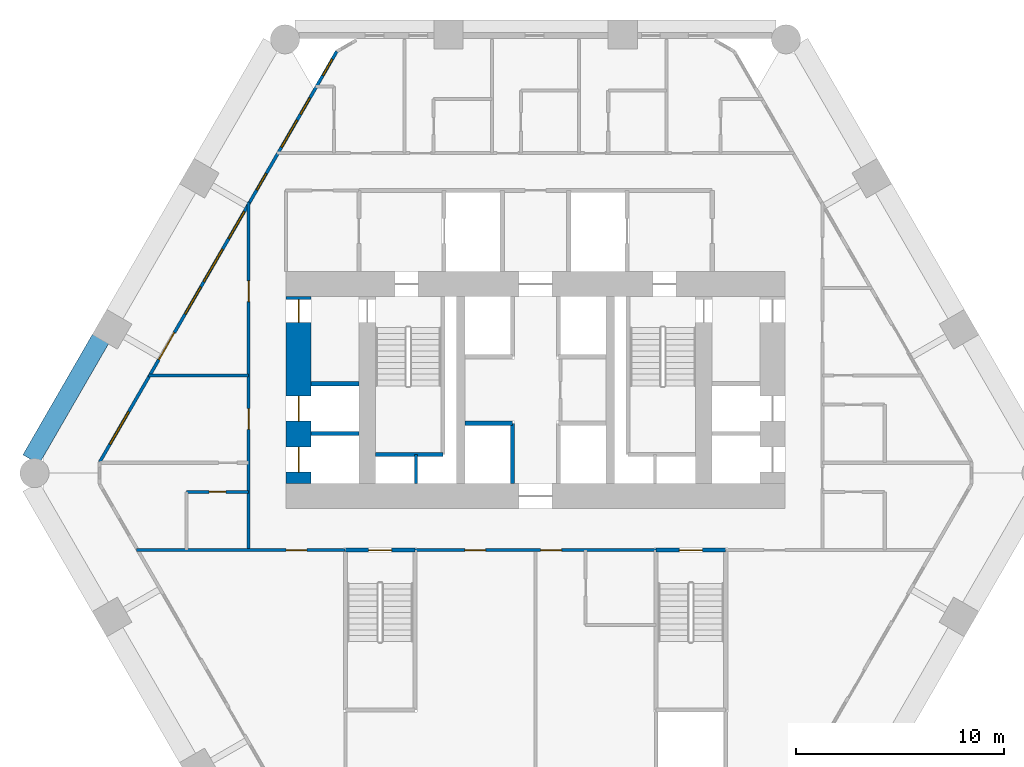
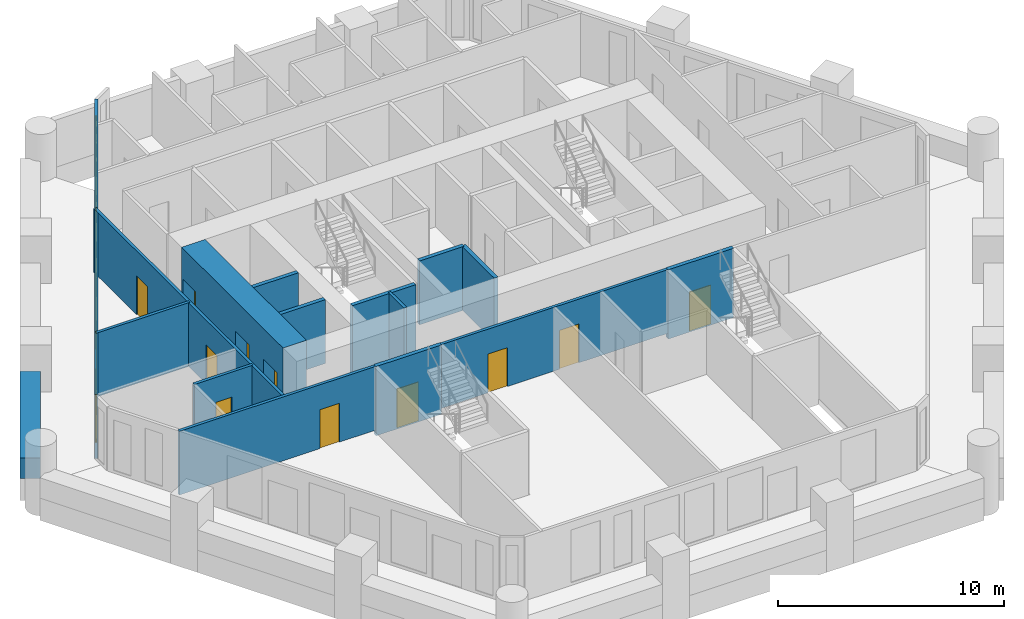
# One storey, part 3 of 8: 16 walls, 12 doors, 8 windows, 20 openings.
"""IFC4 building model written with IfcOpenShell, lengths in metres."""

from ifc_helpers import new_model, si_unit, direction, frame, frame_2d, origin, place, context, subcontext, project, spatial, rectangle, extrude, material, layer, layer_set, type_object, element, fill, save


model = new_model("IFC4")

# Units and contexts
model_context = context("Model", 3, precision=1e-05, world=origin(), true_north=direction((0.0, 1.0)))
body_context = subcontext(model_context, "Body", "Model", "MODEL_VIEW")
ifc_project = project(units=[si_unit("LENGTHUNIT", "METRE"), si_unit("AREAUNIT", "SQUARE_METRE"), si_unit("VOLUMEUNIT", "CUBIC_METRE"), si_unit("PLANEANGLEUNIT", "RADIAN"), si_unit("MASSUNIT", "GRAM", prefix="KILO")], contexts=[model_context])

# Site, building, storey
site_placement = place(None, origin())
site = spatial("IfcSite", under=ifc_project, at=site_placement, CompositionType="ELEMENT")
building_placement = place(site_placement, origin())
building = spatial("IfcBuilding", under=site, at=building_placement, Name="Ostrander Bayou Hotel Tower", CompositionType="ELEMENT")
storey_placement = place(building_placement, frame((0.0, 0.0, 31.75)))
storey = spatial("IfcBuildingStorey", under=building, at=storey_placement, Name="L07", CompositionType="ELEMENT", Elevation=31.75)

# Wall, openings, doors
ifc_material_1 = material(Name="Concrete f'c 70 MPa", Category="concrete")
ifc_layer_1 = layer(ifc_material_1, 1.199951171875)
ifc_layer_set_1 = layer_set([ifc_layer_1], Name="CW1 core wall 1200 mm f'c 70 MPa")
wall_type_1 = type_object("IfcWallType", Name="CW1 core wall 1200 mm f'c 70 MPa", PredefinedType="SHEAR", material=ifc_layer_set_1)
wall_1_placement = place(storey_placement, frame((-11.39990234375, -0.5, -0.300048828125), z_axis=(0.0, 0.0, 1.0), x_axis=(0.0, 1.0, 0.0)))
wall_1 = element("IfcWall", 1, at=wall_1_placement, inside=storey, type_object=wall_type_1, Name="CW1 L07 RW", PredefinedType="SHEAR", context=body_context, shape_type="SweptSolid", body=[
    extrude(rectangle(XDim=9.0, YDim=1.199951171875, at=frame_2d((4.5, 0.0))), origin(), (0.0, 0.0, 1.0), 3.75),
])
opening_1_placement = place(wall_1_placement, frame((7.75, 0.0, 0.0)))
opening_1 = element("IfcOpeningElement", 2, at=opening_1_placement, cuts=wall_1, Name="Opening T06-015", PredefinedType="OPENING", context=body_context, shape_type="SweptSolid", body=[
    extrude(rectangle(XDim=1.10009765625, YDim=2.10009765625, at=frame_2d((0.550048828125, 1.050048828125))), frame((0.0, 0.60009765625, 0.0), z_axis=(0.0, -1.0, 0.0), x_axis=(1.0, 0.0, 0.0)), (0.0, 0.0, 1.0), 1.199951171875),
])
opening_2_placement = place(wall_1_placement, frame((0.550048828125, 0.0, 0.0)))
opening_2 = element("IfcOpeningElement", 3, at=opening_2_placement, cuts=wall_1, Name="Opening T06-016", PredefinedType="OPENING", context=body_context, shape_type="SweptSolid", body=[
    extrude(rectangle(XDim=1.199951171875, YDim=2.10009765625, at=frame_2d((0.60009765625, 1.050048828125))), frame((0.0, 0.60009765625, 0.0), z_axis=(0.0, -1.0, 0.0), x_axis=(1.0, 0.0, 0.0)), (0.0, 0.0, 1.0), 1.199951171875),
])
opening_3_placement = place(wall_1_placement, frame((3.0, 0.0, 0.0)))
opening_3 = element("IfcOpeningElement", 4, at=opening_3_placement, cuts=wall_1, Name="Opening T06-017", PredefinedType="OPENING", context=body_context, shape_type="SweptSolid", body=[
    extrude(rectangle(XDim=1.199951171875, YDim=2.10009765625, at=frame_2d((0.60009765625, 1.050048828125))), frame((0.0, 0.60009765625, 0.0), z_axis=(0.0, -1.0, 0.0), x_axis=(1.0, 0.0, 0.0)), (0.0, 0.0, 1.0), 1.199951171875),
])
ifc_material_2 = material(Name="Timber door leaf", Category="wood")
door_type_1 = type_object("IfcDoorType", Name="D5 stair door 1100 x 2100 mm, 90 minute", OperationType="SINGLE_SWING_LEFT", PredefinedType="DOOR", material=ifc_material_2)
door_1_placement = place(opening_1_placement, origin())
door_1 = element("IfcDoor", 5, at=door_1_placement, inside=storey, type_object=door_type_1, Name="dr:L07:015", OperationType="SINGLE_SWING_LEFT", OverallHeight=2.10009765625, OverallWidth=1.10009765625, PredefinedType="DOOR", context=body_context, shape_type="SweptSolid", body=[
    extrude(rectangle(XDim=1.10009765625, YDim=2.10009765625, at=frame_2d((0.550048828125, 1.050048828125))), frame((0.0, 0.02490234375, 0.0), z_axis=(0.0, -1.0, 0.0), x_axis=(1.0, 0.0, 0.0)), (0.0, 0.0, 1.0), 0.050048828125),
])
fill(opening_1, door_1)
ifc_material_3 = material(Name="Stainless steel sliding door", Category="steel")
door_type_2 = type_object("IfcDoorType", Name="LD1 lift landing door 1200 x 2100 mm", OperationType="SINGLE_SWING_LEFT", PredefinedType="DOOR", material=ifc_material_3)
door_2_placement = place(opening_2_placement, origin())
door_2 = element("IfcDoor", 6, at=door_2_placement, inside=storey, type_object=door_type_2, Name="dr:L07:016", OperationType="SLIDING_TO_LEFT", OverallHeight=2.10009765625, OverallWidth=1.199951171875, PredefinedType="DOOR", context=body_context, shape_type="SweptSolid", body=[
    extrude(rectangle(XDim=1.199951171875, YDim=2.10009765625, at=frame_2d((0.60009765625, 1.050048828125))), frame((0.0, 0.02490234375, 0.0), z_axis=(0.0, -1.0, 0.0), x_axis=(1.0, 0.0, 0.0)), (0.0, 0.0, 1.0), 0.050048828125),
])
fill(opening_2, door_2)
door_3_placement = place(opening_3_placement, origin())
door_3 = element("IfcDoor", 7, at=door_3_placement, inside=storey, type_object=door_type_2, Name="dr:L07:017", OperationType="SLIDING_TO_LEFT", OverallHeight=2.10009765625, OverallWidth=1.199951171875, PredefinedType="DOOR", context=body_context, shape_type="SweptSolid", body=[
    extrude(rectangle(XDim=1.199951171875, YDim=2.10009765625, at=frame_2d((0.60009765625, 1.050048828125))), frame((0.0, 0.02490234375, 0.0), z_axis=(0.0, -1.0, 0.0), x_axis=(1.0, 0.0, 0.0)), (0.0, 0.0, 1.0), 0.050048828125),
])
fill(opening_3, door_3)

# Wall, openings, door, windows
ifc_material_4 = material(Name="Aluminium framed insulated wall", Category="aluminium")
ifc_layer_2 = layer(ifc_material_4, 0.14990234375)
ifc_layer_set_2 = layer_set([ifc_layer_2], Name="GW1 glass-line wall 150 mm")
wall_type_2 = type_object("IfcWallType", Name="GW1 glass-line wall 150 mm", PredefinedType="SOLIDWALL", material=ifc_layer_set_2)
wall_2_placement = place(storey_placement, frame((-9.5595703125, 20.29248046875, 0.0), z_axis=(0.0, 0.0, 1.0), x_axis=(-0.500000010132, -0.866025397935, 0.0)))
wall_2 = element("IfcWall", 8, at=wall_2_placement, inside=storey, type_object=wall_type_2, Name="GW1 L07 NW 1", PredefinedType="SOLIDWALL", context=body_context, shape_type="SweptSolid", body=[
    extrude(rectangle(XDim=22.81689453125, YDim=0.14990234375, at=frame_2d((11.408447265625, 0.0))), origin(), (0.0, 0.0, 1.0), 3.449951171875),
])
opening_4_placement = place(wall_2_placement, frame((2.593994140625, 0.0, 0.14990234375)))
opening_4 = element("IfcOpeningElement", 9, at=opening_4_placement, cuts=wall_2, Name="Opening W15", PredefinedType="OPENING", context=body_context, shape_type="SweptSolid", body=[
    extrude(rectangle(XDim=0.89990234375, YDim=2.85009765625, at=frame_2d((0.449951171875, 1.425048828125))), frame((0.0, 0.074951171875, 0.0), z_axis=(0.0, -1.0, 0.0), x_axis=(1.0, 0.0, 0.0)), (0.0, 0.0, 1.0), 0.14990234375),
])
opening_5_placement = place(wall_2_placement, frame((3.8251953125, 0.0, 0.14990234375)))
opening_5 = element("IfcOpeningElement", 10, at=opening_5_placement, cuts=wall_2, Name="Opening W11", PredefinedType="OPENING", context=body_context, shape_type="SweptSolid", body=[
    extrude(rectangle(XDim=1.5, YDim=2.85009765625, at=frame_2d((0.75, 1.425048828125))), frame((0.0, 0.074951171875, 0.0), z_axis=(0.0, -1.0, 0.0), x_axis=(1.0, 0.0, 0.0)), (0.0, 0.0, 1.0), 0.14990234375),
])
opening_6_placement = place(wall_2_placement, frame((6.794189453125, 0.0, 0.14990234375)))
opening_6 = element("IfcOpeningElement", 11, at=opening_6_placement, cuts=wall_2, Name="Opening W15", PredefinedType="OPENING", context=body_context, shape_type="SweptSolid", body=[
    extrude(rectangle(XDim=0.89990234375, YDim=2.85009765625, at=frame_2d((0.449951171875, 1.425048828125))), frame((0.0, 0.074951171875, 0.0), z_axis=(0.0, -1.0, 0.0), x_axis=(1.0, 0.0, 0.0)), (0.0, 0.0, 1.0), 0.14990234375),
])
opening_7_placement = place(wall_2_placement, frame((8.89404296875, 0.0, 0.14990234375)))
opening_7 = element("IfcOpeningElement", 12, at=opening_7_placement, cuts=wall_2, Name="Opening W11", PredefinedType="OPENING", context=body_context, shape_type="SweptSolid", body=[
    extrude(rectangle(XDim=1.5, YDim=2.85009765625, at=frame_2d((0.75, 1.425048828125))), frame((0.0, 0.074951171875, 0.0), z_axis=(0.0, -1.0, 0.0), x_axis=(1.0, 0.0, 0.0)), (0.0, 0.0, 1.0), 0.14990234375),
])
opening_8_placement = place(wall_2_placement, frame((10.994140625, 0.0, 0.14990234375)))
opening_8 = element("IfcOpeningElement", 13, at=opening_8_placement, cuts=wall_2, Name="Opening W1", PredefinedType="OPENING", context=body_context, shape_type="SweptSolid", body=[
    extrude(rectangle(XDim=1.800048828125, YDim=2.85009765625, at=frame_2d((0.89990234375, 1.425048828125))), frame((0.0, 0.074951171875, 0.0), z_axis=(0.0, -1.0, 0.0), x_axis=(1.0, 0.0, 0.0)), (0.0, 0.0, 1.0), 0.14990234375),
])
opening_9_placement = place(wall_2_placement, frame((13.093994140625, 0.0, 0.14990234375)))
opening_9 = element("IfcOpeningElement", 14, at=opening_9_placement, cuts=wall_2, Name="Opening W11", PredefinedType="OPENING", context=body_context, shape_type="SweptSolid", body=[
    extrude(rectangle(XDim=1.5, YDim=2.85009765625, at=frame_2d((0.75, 1.425048828125))), frame((0.0, 0.074951171875, 0.0), z_axis=(0.0, -1.0, 0.0), x_axis=(1.0, 0.0, 0.0)), (0.0, 0.0, 1.0), 0.14990234375),
])
opening_10_placement = place(wall_2_placement, frame((15.630859375, 0.0, 0.0)))
opening_10 = element("IfcOpeningElement", 15, at=opening_10_placement, cuts=wall_2, Name="Opening T06-800", PredefinedType="OPENING", context=body_context, shape_type="SweptSolid", body=[
    extrude(rectangle(XDim=1.5, YDim=2.39990234375, at=frame_2d((0.75, 1.199951171875))), frame((0.0, 0.074951171875, 0.0), z_axis=(0.0, -1.0, 0.0), x_axis=(1.0, 0.0, 0.0)), (0.0, 0.0, 1.0), 0.14990234375),
])
opening_11_placement = place(wall_2_placement, frame((0.440185546875, 0.0, 0.14990234375)))
opening_11 = element("IfcOpeningElement", 16, at=opening_11_placement, cuts=wall_2, Name="Opening W15", PredefinedType="OPENING", context=body_context, shape_type="SweptSolid", body=[
    extrude(rectangle(XDim=0.89990234375, YDim=2.72998046875, at=frame_2d((0.449951171875, 1.364990234375))), frame((0.0, 0.074951171875, 0.0), z_axis=(0.0, -1.0, 0.0), x_axis=(1.0, 0.0, 0.0)), (0.0, 0.0, 1.0), 0.14990234375),
])
opening_12_placement = place(wall_2_placement, frame((20.024169921875, 0.0, 0.14990234375)))
opening_12 = element("IfcOpeningElement", 17, at=opening_12_placement, cuts=wall_2, Name="Opening W1", PredefinedType="OPENING", context=body_context, shape_type="SweptSolid", body=[
    extrude(rectangle(XDim=1.800048828125, YDim=2.72998046875, at=frame_2d((0.89990234375, 1.364990234375))), frame((0.0, 0.074951171875, 0.0), z_axis=(0.0, -1.0, 0.0), x_axis=(1.0, 0.0, 0.0)), (0.0, 0.0, 1.0), 0.14990234375),
])
ifc_material_5 = material(Name="Aluminium and clear glass", Category="aluminium")
door_type_3 = type_object("IfcDoorType", Name="SD1 sliding glass door 1500 mm, zone 1", OperationType="SLIDING_TO_LEFT", PredefinedType="DOOR", material=ifc_material_5)
door_4_placement = place(opening_10_placement, origin())
door_4 = element("IfcDoor", 18, at=door_4_placement, inside=storey, type_object=door_type_3, Name="SD1 L07 NW 4", OperationType="SLIDING_TO_RIGHT", OverallHeight=2.39990234375, OverallWidth=1.5, PredefinedType="DOOR", context=body_context, shape_type="SweptSolid", body=[
    extrude(rectangle(XDim=1.5, YDim=2.39990234375, at=frame_2d((0.75, 1.199951171875))), frame((0.0, 0.02490234375, 0.0), z_axis=(0.0, -1.0, 0.0), x_axis=(1.0, 0.0, 0.0)), (0.0, 0.0, 1.0), 0.050048828125),
])
fill(opening_10, door_4)
ifc_material_6 = material(Name="Aluminium and clear glass", Category="aluminium")
window_type_1 = type_object("IfcWindowType", Name="W1 fixed window 1800 mm, zone 1", PartitioningType="SINGLE_PANEL", PredefinedType="WINDOW", material=ifc_material_6)
window_1_placement = place(opening_8_placement, origin())
window_1 = element("IfcWindow", 19, at=window_1_placement, inside=storey, type_object=window_type_1, Name="W1 L07 NW 3", OverallHeight=2.85009765625, OverallWidth=1.800048828125, PartitioningType="SINGLE_PANEL", PredefinedType="WINDOW", context=body_context, shape_type="SweptSolid", body=[
    extrude(rectangle(XDim=1.800048828125, YDim=2.85009765625, at=frame_2d((0.89990234375, 1.425048828125))), frame((0.0, 0.030029296875, 0.0), z_axis=(0.0, -1.0, 0.0), x_axis=(1.0, 0.0, 0.0)), (0.0, 0.0, 1.0), 0.06005859375),
])
fill(opening_8, window_1)
window_2_placement = place(opening_12_placement, origin())
window_2 = element("IfcWindow", 20, at=window_2_placement, inside=storey, type_object=window_type_1, Name="W1 L07 NW E21", OverallHeight=2.72998046875, OverallWidth=1.800048828125, PartitioningType="SINGLE_PANEL", PredefinedType="WINDOW", context=body_context, shape_type="SweptSolid", body=[
    extrude(rectangle(XDim=1.800048828125, YDim=2.72998046875, at=frame_2d((0.89990234375, 1.364990234375))), frame((0.0, 0.030029296875, 0.0), z_axis=(0.0, -1.0, 0.0), x_axis=(1.0, 0.0, 0.0)), (0.0, 0.0, 1.0), 0.06005859375),
])
fill(opening_12, window_2)
ifc_material_7 = material(Name="Aluminium and clear glass", Category="aluminium")
window_type_2 = type_object("IfcWindowType", Name="W11 fixed window 1500 mm, bath bay, zone 1", PartitioningType="SINGLE_PANEL", PredefinedType="WINDOW", material=ifc_material_7)
window_3_placement = place(opening_5_placement, origin())
window_3 = element("IfcWindow", 21, at=window_3_placement, inside=storey, type_object=window_type_2, Name="W11 L07 NW 1", OverallHeight=2.85009765625, OverallWidth=1.5, PartitioningType="SINGLE_PANEL", PredefinedType="WINDOW", context=body_context, shape_type="SweptSolid", body=[
    extrude(rectangle(XDim=1.5, YDim=2.85009765625, at=frame_2d((0.75, 1.425048828125))), frame((0.0, 0.030029296875, 0.0), z_axis=(0.0, -1.0, 0.0), x_axis=(1.0, 0.0, 0.0)), (0.0, 0.0, 1.0), 0.06005859375),
])
fill(opening_5, window_3)
window_4_placement = place(opening_7_placement, origin())
window_4 = element("IfcWindow", 22, at=window_4_placement, inside=storey, type_object=window_type_2, Name="W11 L07 NW 2", OverallHeight=2.85009765625, OverallWidth=1.5, PartitioningType="SINGLE_PANEL", PredefinedType="WINDOW", context=body_context, shape_type="SweptSolid", body=[
    extrude(rectangle(XDim=1.5, YDim=2.85009765625, at=frame_2d((0.75, 1.425048828125))), frame((0.0, 0.030029296875, 0.0), z_axis=(0.0, -1.0, 0.0), x_axis=(1.0, 0.0, 0.0)), (0.0, 0.0, 1.0), 0.06005859375),
])
fill(opening_7, window_4)
window_5_placement = place(opening_9_placement, origin())
window_5 = element("IfcWindow", 23, at=window_5_placement, inside=storey, type_object=window_type_2, Name="W11 L07 NW 3", OverallHeight=2.85009765625, OverallWidth=1.5, PartitioningType="SINGLE_PANEL", PredefinedType="WINDOW", context=body_context, shape_type="SweptSolid", body=[
    extrude(rectangle(XDim=1.5, YDim=2.85009765625, at=frame_2d((0.75, 1.425048828125))), frame((0.0, 0.030029296875, 0.0), z_axis=(0.0, -1.0, 0.0), x_axis=(1.0, 0.0, 0.0)), (0.0, 0.0, 1.0), 0.06005859375),
])
fill(opening_9, window_5)
ifc_material_8 = material(Name="Aluminium and clear glass", Category="aluminium")
window_type_3 = type_object("IfcWindowType", Name="W15 window 900 mm, zone 1", PartitioningType="SINGLE_PANEL", PredefinedType="WINDOW", material=ifc_material_8)
window_6_placement = place(opening_4_placement, origin())
window_6 = element("IfcWindow", 24, at=window_6_placement, inside=storey, type_object=window_type_3, Name="W15 L07 NW 1", OverallHeight=2.85009765625, OverallWidth=0.89990234375, PartitioningType="SINGLE_PANEL", PredefinedType="WINDOW", context=body_context, shape_type="SweptSolid", body=[
    extrude(rectangle(XDim=0.89990234375, YDim=2.85009765625, at=frame_2d((0.449951171875, 1.425048828125))), frame((0.0, 0.030029296875, 0.0), z_axis=(0.0, -1.0, 0.0), x_axis=(1.0, 0.0, 0.0)), (0.0, 0.0, 1.0), 0.06005859375),
])
fill(opening_4, window_6)
window_7_placement = place(opening_6_placement, origin())
window_7 = element("IfcWindow", 25, at=window_7_placement, inside=storey, type_object=window_type_3, Name="W15 L07 NW 2", OverallHeight=2.85009765625, OverallWidth=0.89990234375, PartitioningType="SINGLE_PANEL", PredefinedType="WINDOW", context=body_context, shape_type="SweptSolid", body=[
    extrude(rectangle(XDim=0.89990234375, YDim=2.85009765625, at=frame_2d((0.449951171875, 1.425048828125))), frame((0.0, 0.030029296875, 0.0), z_axis=(0.0, -1.0, 0.0), x_axis=(1.0, 0.0, 0.0)), (0.0, 0.0, 1.0), 0.06005859375),
])
fill(opening_6, window_7)
window_8_placement = place(opening_11_placement, origin())
window_8 = element("IfcWindow", 26, at=window_8_placement, inside=storey, type_object=window_type_3, Name="W15 L07 NW E11", OverallHeight=2.72998046875, OverallWidth=0.89990234375, PartitioningType="SINGLE_PANEL", PredefinedType="WINDOW", context=body_context, shape_type="SweptSolid", body=[
    extrude(rectangle(XDim=0.89990234375, YDim=2.72998046875, at=frame_2d((0.449951171875, 1.364990234375))), frame((0.0, 0.030029296875, 0.0), z_axis=(0.0, -1.0, 0.0), x_axis=(1.0, 0.0, 0.0)), (0.0, 0.0, 1.0), 0.06005859375),
])
fill(opening_11, window_8)

# Walls
ifc_material_9 = material(Name="Concrete f'c 40 MPa", Category="concrete")
ifc_layer_3 = layer(ifc_material_9, 0.89990234375)
ifc_layer_set_3 = layer_set([ifc_layer_3], Name="PA1 stone-faced parapet 900 mm")
wall_type_3 = type_object("IfcWallType", Name="PA1 stone-faced parapet 900 mm", PredefinedType="PARAPET", material=ifc_layer_set_3)
wall_3_placement = place(storey_placement, frame((-20.92236328125, 6.46142578125, 0.0), z_axis=(0.0, 0.0, 1.0), x_axis=(-0.500005133765, -0.866022439784, 0.0)))
element("IfcWall", 27, at=wall_3_placement, inside=storey, type_object=wall_type_3, Name="PA1 L07 NW-3", PredefinedType="PARAPET", context=body_context, shape_type="SweptSolid", body=[
    extrude(rectangle(XDim=6.70361328125, YDim=0.89990234375, at=frame_2d((3.351806640625, 0.0))), origin(), (0.0, 0.0, 1.0), 1.10009765625),
])
ifc_material_10 = material(Name="Masonry block", Category="masonry")
ifc_layer_4 = layer(ifc_material_10, 0.199951171875)
ifc_layer_set_4 = layer_set([ifc_layer_4], Name="PT6 lift shaft wall 200 mm masonry, 2 hour")
wall_type_4 = type_object("IfcWallType", Name="PT6 lift shaft wall 200 mm masonry, 2 hour", PredefinedType="PARTITIONING", material=ifc_layer_set_4)
wall_4_placement = place(storey_placement, frame((-3.39990234375, 2.39990234375, 0.0), z_axis=(0.0, 0.0, 1.0), x_axis=(1.0, 0.0, 0.0)))
element("IfcWall", 28, at=wall_4_placement, inside=storey, type_object=wall_type_4, Name="cs:L07:001", PredefinedType="PARTITIONING", context=body_context, shape_type="SweptSolid", body=[
    extrude(rectangle(XDim=2.2998046875, YDim=0.199951171875, at=frame_2d((1.14990234375, 0.0))), origin(), (0.0, 0.0, 1.0), 3.449951171875),
])
wall_5_placement = place(storey_placement, frame((-1.10009765625, -0.5, 0.0), z_axis=(0.0, 0.0, 1.0), x_axis=(0.0, 1.0, 0.0)))
element("IfcWall", 29, at=wall_5_placement, inside=storey, type_object=wall_type_4, Name="cs:L07:005", PredefinedType="PARTITIONING", context=body_context, shape_type="SweptSolid", body=[
    extrude(rectangle(XDim=2.89990234375, YDim=0.199951171875, at=frame_2d((1.449951171875, 0.0))), origin(), (0.0, 0.0, 1.0), 3.449951171875),
])
for number, where, z_axis, x_axis, name in (
    (30, (-10.800048828125, 1.89990234375, 0.0), (0.0, 0.0, 1.0), (1.0, 0.0, 0.0), "cs:L07:033"),
    (31, (-10.800048828125, 4.300048828125, 0.0), (0.0, 0.0, 1.0), (1.0, 0.0, 0.0), "cs:L07:034"),
):
    element("IfcWall", number, at=place(storey_placement, frame(where, z_axis=z_axis, x_axis=x_axis)), inside=storey, type_object=wall_type_4, Name=name, PredefinedType="PARTITIONING", context=body_context, shape_type="SweptSolid", body=[
        extrude(rectangle(XDim=2.300048828125, YDim=0.199951171875, at=frame_2d((1.14990234375, 0.0))), origin(), (0.0, 0.0, 1.0), 3.449951171875),
    ])
ifc_material_11 = material(Name="Gypsum board partition", Category="finish")
ifc_layer_5 = layer(ifc_material_11, 0.14990234375)
ifc_layer_set_5 = layer_set([ifc_layer_5], Name="PT7 riser wall 150 mm, 2 hour")
wall_type_5 = type_object("IfcWallType", Name="PT7 riser wall 150 mm, 2 hour", PredefinedType="PARTITIONING", material=ifc_layer_set_5)
wall_6_placement = place(storey_placement, frame((-5.75, -0.5, 0.0), z_axis=(0.0, 0.0, 1.0), x_axis=(0.0, 1.0, 0.0)))
element("IfcWall", 32, at=wall_6_placement, inside=storey, type_object=wall_type_5, Name="cs:L07:011", PredefinedType="PARTITIONING", context=body_context, shape_type="SweptSolid", body=[
    extrude(rectangle(XDim=1.39990234375, YDim=0.14990234375, at=frame_2d((0.699951171875, 0.0))), origin(), (0.0, 0.0, 1.0), 3.449951171875),
])

# Wall, opening, door
ifc_material_12 = material(Name="Gypsum board partition", Category="finish")
ifc_layer_6 = layer(ifc_material_12, 0.14990234375)
ifc_layer_set_6 = layer_set([ifc_layer_6], Name="PT8 service band wall 150 mm, 1 hour")
wall_type_6 = type_object("IfcWallType", Name="PT8 service band wall 150 mm, 1 hour", PredefinedType="PARTITIONING", material=ifc_layer_set_6)
wall_7_placement = place(storey_placement, frame((-19.19091796875, -3.699951171875, 0.0), z_axis=(0.0, 0.0, 1.0), x_axis=(1.0, 0.0, 0.0)))
wall_7 = element("IfcWall", 33, at=wall_7_placement, inside=storey, type_object=wall_type_6, Name="gw:L07:002", PredefinedType="PARTITIONING", context=body_context, shape_type="SweptSolid", body=[
    extrude(rectangle(XDim=10.031005859375, YDim=0.14990234375, at=frame_2d((5.015625, 0.0))), origin(), (0.0, 0.0, 1.0), 3.449951171875),
])
opening_13_placement = place(wall_7_placement, frame((7.19091796875, 0.0, 0.0)))
opening_13 = element("IfcOpeningElement", 34, at=opening_13_placement, cuts=wall_7, Name="Opening T06-401", PredefinedType="OPENING", context=body_context, shape_type="SweptSolid", body=[
    extrude(rectangle(XDim=1.0, YDim=2.10009765625, at=frame_2d((0.5, 1.050048828125))), frame((0.0, 0.074951171875, 0.0), z_axis=(0.0, -1.0, 0.0), x_axis=(1.0, 0.0, 0.0)), (0.0, 0.0, 1.0), 0.14990234375),
])
ifc_material_13 = material(Name="Timber door leaf", Category="wood")
door_type_4 = type_object("IfcDoorType", Name="D15 room door 1000 x 2100 mm", OperationType="SINGLE_SWING_LEFT", PredefinedType="DOOR", material=ifc_material_13)
door_5_placement = place(opening_13_placement, origin())
door_5 = element("IfcDoor", 35, at=door_5_placement, inside=storey, type_object=door_type_4, Name="dr:L07:401", OperationType="SINGLE_SWING_RIGHT", OverallHeight=2.10009765625, OverallWidth=1.0, PredefinedType="DOOR", context=body_context, shape_type="SweptSolid", body=[
    extrude(rectangle(XDim=1.0, YDim=2.10009765625, at=frame_2d((0.5, 1.050048828125))), frame((0.0, 0.02490234375, 0.0), z_axis=(0.0, -1.0, 0.0), x_axis=(1.0, 0.0, 0.0)), (0.0, 0.0, 1.0), 0.050048828125),
])
fill(opening_13, door_5)

# Wall, openings, doors
wall_8_placement = place(storey_placement, frame((-5.7900390625, -3.699951171875, 0.0), z_axis=(0.0, 0.0, 1.0), x_axis=(1.0, 0.0, 0.0)))
wall_8 = element("IfcWall", 36, at=wall_8_placement, inside=storey, type_object=wall_type_6, Name="gw:L07:003", PredefinedType="PARTITIONING", context=body_context, shape_type="SweptSolid", body=[
    extrude(rectangle(XDim=11.580078125, YDim=0.14990234375, at=frame_2d((5.7900390625, 0.0))), origin(), (0.0, 0.0, 1.0), 3.449951171875),
])
opening_14_placement = place(wall_8_placement, frame((2.389892578125, 0.0, 0.0)))
opening_14 = element("IfcOpeningElement", 37, at=opening_14_placement, cuts=wall_8, Name="Opening T06-400", PredefinedType="OPENING", context=body_context, shape_type="SweptSolid", body=[
    extrude(rectangle(XDim=1.0, YDim=2.10009765625, at=frame_2d((0.5, 1.050048828125))), frame((0.0, 0.074951171875, 0.0), z_axis=(0.0, -1.0, 0.0), x_axis=(1.0, 0.0, 0.0)), (0.0, 0.0, 1.0), 0.14990234375),
])
opening_15_placement = place(wall_8_placement, frame((6.0400390625, 0.0, 0.0)))
opening_15 = element("IfcOpeningElement", 38, at=opening_15_placement, cuts=wall_8, Name="Opening T06-402", PredefinedType="OPENING", context=body_context, shape_type="SweptSolid", body=[
    extrude(rectangle(XDim=1.0, YDim=2.10009765625, at=frame_2d((0.5, 1.050048828125))), frame((0.0, 0.074951171875, 0.0), z_axis=(0.0, -1.0, 0.0), x_axis=(1.0, 0.0, 0.0)), (0.0, 0.0, 1.0), 0.14990234375),
])
ifc_material_14 = material(Name="Timber door leaf", Category="wood")
door_type_5 = type_object("IfcDoorType", Name="D1 guest room door 1000 x 2100 mm, 30 minute", OperationType="SINGLE_SWING_LEFT", PredefinedType="DOOR", material=ifc_material_14)
door_6_placement = place(opening_15_placement, origin())
door_6 = element("IfcDoor", 39, at=door_6_placement, inside=storey, type_object=door_type_5, Name="dr:L07:402", OperationType="SINGLE_SWING_LEFT", OverallHeight=2.10009765625, OverallWidth=1.0, PredefinedType="DOOR", context=body_context, shape_type="SweptSolid", body=[
    extrude(rectangle(XDim=1.0, YDim=2.10009765625, at=frame_2d((0.5, 1.050048828125))), frame((0.0, 0.02490234375, 0.0), z_axis=(0.0, -1.0, 0.0), x_axis=(1.0, 0.0, 0.0)), (0.0, 0.0, 1.0), 0.050048828125),
])
fill(opening_15, door_6)
ifc_material_15 = material(Name="Timber door leaf", Category="wood")
door_type_6 = type_object("IfcDoorType", Name="D9 service door 1000 x 2100 mm, 30 minute", OperationType="SINGLE_SWING_LEFT", PredefinedType="DOOR", material=ifc_material_15)
door_7_placement = place(opening_14_placement, origin())
door_7 = element("IfcDoor", 40, at=door_7_placement, inside=storey, type_object=door_type_6, Name="dr:L07:400", OperationType="SINGLE_SWING_RIGHT", OverallHeight=2.10009765625, OverallWidth=1.0, PredefinedType="DOOR", context=body_context, shape_type="SweptSolid", body=[
    extrude(rectangle(XDim=1.0, YDim=2.10009765625, at=frame_2d((0.5, 1.050048828125))), frame((0.0, 0.02490234375, 0.0), z_axis=(0.0, -1.0, 0.0), x_axis=(1.0, 0.0, 0.0)), (0.0, 0.0, 1.0), 0.050048828125),
])
fill(opening_14, door_7)

# Wall, opening, door
wall_9_placement = place(storey_placement, frame((-16.800048828125, -0.89990234375, 0.0), z_axis=(0.0, 0.0, 1.0), x_axis=(1.0, 0.0, 0.0)))
wall_9 = element("IfcWall", 41, at=wall_9_placement, inside=storey, type_object=wall_type_6, Name="gw:L07:005", PredefinedType="PARTITIONING", context=body_context, shape_type="SweptSolid", body=[
    extrude(rectangle(XDim=3.0, YDim=0.14990234375, at=frame_2d((1.5, 0.0))), origin(), (0.0, 0.0, 1.0), 3.449951171875),
])
opening_16_placement = place(wall_9_placement, frame((1.10009765625, 0.0, 0.0)))
opening_16 = element("IfcOpeningElement", 42, at=opening_16_placement, cuts=wall_9, Name="Opening T06-407", PredefinedType="OPENING", context=body_context, shape_type="SweptSolid", body=[
    extrude(rectangle(XDim=0.800048828125, YDim=2.10009765625, at=frame_2d((0.39990234375, 1.050048828125))), frame((0.0, 0.074951171875, 0.0), z_axis=(0.0, -1.0, 0.0), x_axis=(1.0, 0.0, 0.0)), (0.0, 0.0, 1.0), 0.14990234375),
])
ifc_material_16 = material(Name="Timber door leaf", Category="wood")
door_type_7 = type_object("IfcDoorType", Name="D2 bathroom door 800 x 2100 mm", OperationType="SINGLE_SWING_LEFT", PredefinedType="DOOR", material=ifc_material_16)
door_8_placement = place(opening_16_placement, origin())
door_8 = element("IfcDoor", 43, at=door_8_placement, inside=storey, type_object=door_type_7, Name="dr:L07:407", OperationType="SINGLE_SWING_RIGHT", OverallHeight=2.10009765625, OverallWidth=0.800048828125, PredefinedType="DOOR", context=body_context, shape_type="SweptSolid", body=[
    extrude(rectangle(XDim=0.800048828125, YDim=2.10009765625, at=frame_2d((0.39990234375, 1.050048828125))), frame((0.0, 0.02490234375, 0.0), z_axis=(0.0, -1.0, 0.0), x_axis=(1.0, 0.0, 0.0)), (0.0, 0.0, 1.0), 0.050048828125),
])
fill(opening_16, door_8)

# Wall
wall_10_placement = place(storey_placement, frame((-18.614013671875, 4.699951171875, 0.0), z_axis=(0.0, 0.0, 1.0), x_axis=(1.0, 0.0, 0.0)))
element("IfcWall", 44, at=wall_10_placement, inside=storey, type_object=wall_type_6, Name="gw:L07:010", PredefinedType="PARTITIONING", context=body_context, shape_type="SweptSolid", body=[
    extrude(rectangle(XDim=4.81396484375, YDim=0.14990234375, at=frame_2d((2.406982421875, 0.0))), origin(), (0.0, 0.0, 1.0), 3.449951171875),
])

# Wall, openings, doors
wall_11_placement = place(storey_placement, frame((-13.800048828125, -3.699951171875, 0.0), z_axis=(0.0, 0.0, 1.0), x_axis=(0.0, 1.0, 0.0)))
wall_11 = element("IfcWall", 45, at=wall_11_placement, inside=storey, type_object=wall_type_6, Name="gw:L07:038", PredefinedType="PARTITIONING", context=body_context, shape_type="SweptSolid", body=[
    extrude(rectangle(XDim=16.738037109375, YDim=0.14990234375, at=frame_2d((8.369140625, 0.0))), origin(), (0.0, 0.0, 1.0), 3.449951171875),
])
opening_17_placement = place(wall_11_placement, frame((5.800048828125, 0.0, 0.0)))
opening_17 = element("IfcOpeningElement", 46, at=opening_17_placement, cuts=wall_11, Name="Opening T06-405", PredefinedType="OPENING", context=body_context, shape_type="SweptSolid", body=[
    extrude(rectangle(XDim=1.0, YDim=2.10009765625, at=frame_2d((0.5, 1.050048828125))), frame((0.0, 0.074951171875, 0.0), z_axis=(0.0, -1.0, 0.0), x_axis=(1.0, 0.0, 0.0)), (0.0, 0.0, 1.0), 0.14990234375),
])
opening_18_placement = place(wall_11_placement, frame((11.947998046875, 0.0, 0.0)))
opening_18 = element("IfcOpeningElement", 47, at=opening_18_placement, cuts=wall_11, Name="Opening T06-408", PredefinedType="OPENING", context=body_context, shape_type="SweptSolid", body=[
    extrude(rectangle(XDim=1.0, YDim=2.10009765625, at=frame_2d((0.5, 1.050048828125))), frame((0.0, 0.074951171875, 0.0), z_axis=(0.0, -1.0, 0.0), x_axis=(1.0, 0.0, 0.0)), (0.0, 0.0, 1.0), 0.14990234375),
])
door_9_placement = place(opening_17_placement, origin())
door_9 = element("IfcDoor", 48, at=door_9_placement, inside=storey, type_object=door_type_5, Name="dr:L07:405", OperationType="SINGLE_SWING_RIGHT", OverallHeight=2.10009765625, OverallWidth=1.0, PredefinedType="DOOR", context=body_context, shape_type="SweptSolid", body=[
    extrude(rectangle(XDim=1.0, YDim=2.10009765625, at=frame_2d((0.5, 1.050048828125))), frame((0.0, 0.02490234375, 0.0), z_axis=(0.0, -1.0, 0.0), x_axis=(1.0, 0.0, 0.0)), (0.0, 0.0, 1.0), 0.050048828125),
])
fill(opening_17, door_9)
door_10_placement = place(opening_18_placement, origin())
door_10 = element("IfcDoor", 49, at=door_10_placement, inside=storey, type_object=door_type_6, Name="dr:L07:408", OperationType="SINGLE_SWING_LEFT", OverallHeight=2.10009765625, OverallWidth=1.0, PredefinedType="DOOR", context=body_context, shape_type="SweptSolid", body=[
    extrude(rectangle(XDim=1.0, YDim=2.10009765625, at=frame_2d((0.5, 1.050048828125))), frame((0.0, 0.02490234375, 0.0), z_axis=(0.0, -1.0, 0.0), x_axis=(1.0, 0.0, 0.0)), (0.0, 0.0, 1.0), 0.050048828125),
])
fill(opening_18, door_10)

# Wall
ifc_material_17 = material(Name="Concrete f'c 45 MPa", Category="concrete")
ifc_layer_7 = layer(ifc_material_17, 0.199951171875)
ifc_layer_set_7 = layer_set([ifc_layer_7], Name="SW5 stair enclosure wall 200 mm f'c 45 MPa")
wall_type_7 = type_object("IfcWallType", Name="SW5 stair enclosure wall 200 mm f'c 45 MPa", PredefinedType="SOLIDWALL", material=ifc_layer_set_7)
wall_12_placement = place(storey_placement, frame((-7.699951171875, 0.89990234375, -0.300048828125), z_axis=(0.0, 0.0, 1.0), x_axis=(1.0, 0.0, 0.0)))
element("IfcWall", 50, at=wall_12_placement, inside=storey, type_object=wall_type_7, Name="cs:L07:010", PredefinedType="SOLIDWALL", context=body_context, shape_type="SweptSolid", body=[
    extrude(rectangle(XDim=3.25, YDim=0.199951171875, at=frame_2d((1.625, 0.0))), origin(), (0.0, 0.0, 1.0), 3.75),
])

# Wall, opening, door
wall_13_placement = place(storey_placement, frame((5.800048828125, -3.699951171875, -0.300048828125), z_axis=(0.0, 0.0, 1.0), x_axis=(1.0, 0.0, 0.0)))
wall_13 = element("IfcWall", 51, at=wall_13_placement, inside=storey, type_object=wall_type_7, Name="cs:L07:015", PredefinedType="SOLIDWALL", context=body_context, shape_type="SweptSolid", body=[
    extrude(rectangle(XDim=3.349853515625, YDim=0.199951171875, at=frame_2d((1.6748046875, 0.0))), origin(), (0.0, 0.0, 1.0), 3.75),
])
opening_19_placement = place(wall_13_placement, frame((1.125, 0.0, 0.0)))
opening_19 = element("IfcOpeningElement", 52, at=opening_19_placement, cuts=wall_13, Name="Opening T06-007", PredefinedType="OPENING", context=body_context, shape_type="SweptSolid", body=[
    extrude(rectangle(XDim=1.10009765625, YDim=2.10009765625, at=frame_2d((0.550048828125, 1.050048828125))), frame((0.0, 0.10009765625, 0.0), z_axis=(0.0, -1.0, 0.0), x_axis=(1.0, 0.0, 0.0)), (0.0, 0.0, 1.0), 0.199951171875),
])
door_11_placement = place(opening_19_placement, origin())
door_11 = element("IfcDoor", 53, at=door_11_placement, inside=storey, type_object=door_type_1, Name="dr:L07:007", OperationType="SINGLE_SWING_LEFT", OverallHeight=2.10009765625, OverallWidth=1.10009765625, PredefinedType="DOOR", context=body_context, shape_type="SweptSolid", body=[
    extrude(rectangle(XDim=1.10009765625, YDim=2.10009765625, at=frame_2d((0.550048828125, 1.050048828125))), frame((0.0, 0.02490234375, 0.0), z_axis=(0.0, -1.0, 0.0), x_axis=(1.0, 0.0, 0.0)), (0.0, 0.0, 1.0), 0.050048828125),
])
fill(opening_19, door_11)

wall_14_placement = place(storey_placement, frame((-9.14990234375, -3.699951171875, -0.300048828125), z_axis=(0.0, 0.0, 1.0), x_axis=(1.0, 0.0, 0.0)))
wall_14 = element("IfcWall", 54, at=wall_14_placement, inside=storey, type_object=wall_type_7, Name="cs:L07:021", PredefinedType="SOLIDWALL", context=body_context, shape_type="SweptSolid", body=[
    extrude(rectangle(XDim=3.349853515625, YDim=0.199951171875, at=frame_2d((1.6748046875, 0.0))), origin(), (0.0, 0.0, 1.0), 3.75),
])
opening_20_placement = place(wall_14_placement, frame((1.125, 0.0, 0.0)))
opening_20 = element("IfcOpeningElement", 55, at=opening_20_placement, cuts=wall_14, Name="Opening T06-008", PredefinedType="OPENING", context=body_context, shape_type="SweptSolid", body=[
    extrude(rectangle(XDim=1.10009765625, YDim=2.10009765625, at=frame_2d((0.550048828125, 1.050048828125))), frame((0.0, 0.10009765625, 0.0), z_axis=(0.0, -1.0, 0.0), x_axis=(1.0, 0.0, 0.0)), (0.0, 0.0, 1.0), 0.199951171875),
])
door_12_placement = place(opening_20_placement, origin())
door_12 = element("IfcDoor", 56, at=door_12_placement, inside=storey, type_object=door_type_1, Name="dr:L07:008", OperationType="SINGLE_SWING_LEFT", OverallHeight=2.10009765625, OverallWidth=1.10009765625, PredefinedType="DOOR", context=body_context, shape_type="SweptSolid", body=[
    extrude(rectangle(XDim=1.10009765625, YDim=2.10009765625, at=frame_2d((0.550048828125, 1.050048828125))), frame((0.0, 0.02490234375, 0.0), z_axis=(0.0, -1.0, 0.0), x_axis=(1.0, 0.0, 0.0)), (0.0, 0.0, 1.0), 0.050048828125),
])
fill(opening_20, door_12)

save(model, "model.ifc")
